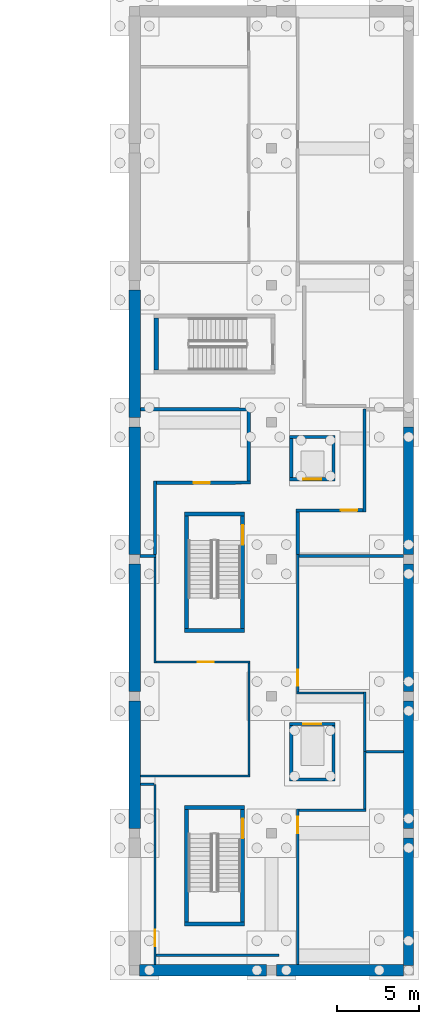
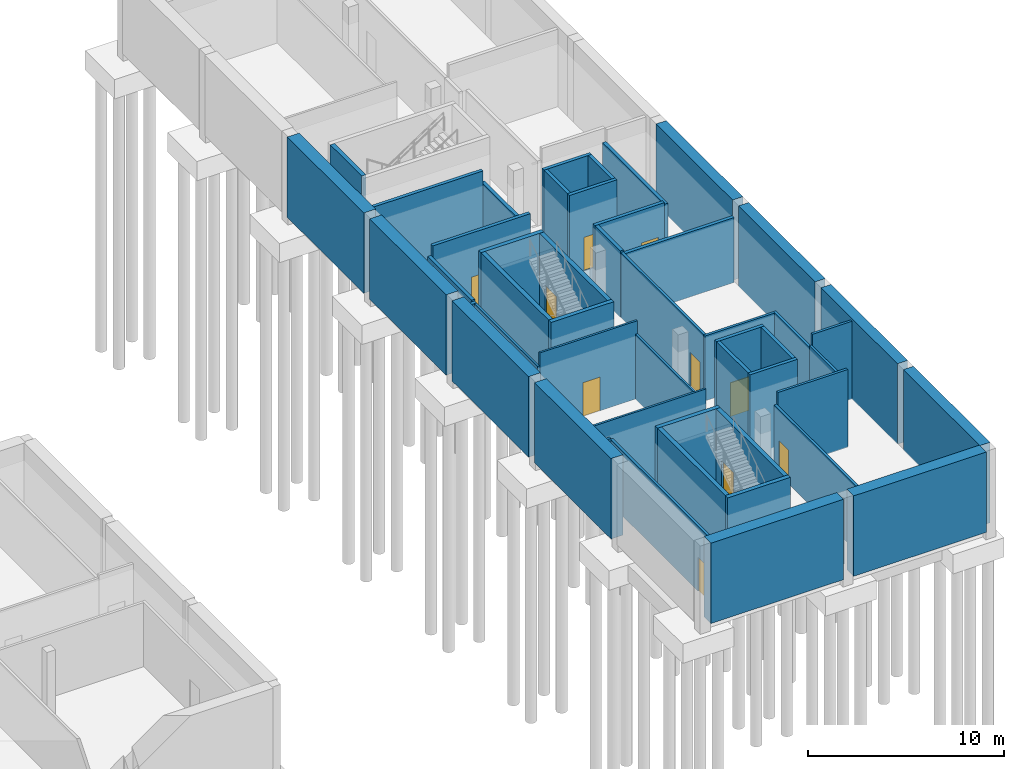
# One storey, part 12 of 33: 50 walls, 10 doors, 10 openings.
"""IFC4 building model written with IfcOpenShell, lengths in metres."""

from ifc_helpers import new_model, si_unit, direction, frame, frame_2d, origin, place, context, subcontext, project, spatial, rectangle, extrude, material, layer, layer_set, type_object, element, fill, save


model = new_model("IFC4")

# Units and contexts
model_context = context("Model", 3, precision=1e-05, world=origin(), true_north=direction((0.0, 1.0)))
body_context = subcontext(model_context, "Body", "Model", "MODEL_VIEW")
ifc_project = project(units=[si_unit("LENGTHUNIT", "METRE"), si_unit("AREAUNIT", "SQUARE_METRE"), si_unit("VOLUMEUNIT", "CUBIC_METRE"), si_unit("PLANEANGLEUNIT", "RADIAN"), si_unit("MASSUNIT", "GRAM", prefix="KILO")], contexts=[model_context])

# Site, building, storey
site_placement = place(None, origin())
site = spatial("IfcSite", under=ifc_project, at=site_placement, CompositionType="ELEMENT")
building_placement = place(site_placement, origin())
building = spatial("IfcBuilding", under=site, at=building_placement, Name="Larchfold Concert Hall", CompositionType="ELEMENT")
storey_placement = place(building_placement, frame((0.0, 0.0, -5.0)))
storey = spatial("IfcBuildingStorey", under=building, at=storey_placement, Name="B1", CompositionType="ELEMENT", Elevation=-5.0)

# Walls
ifc_material_1 = material(Name="Plasterboard partition on steel studs", Category="steel")
ifc_layer_1 = layer(ifc_material_1, 0.199951171875)
ifc_layer_set_1 = layer_set([ifc_layer_1], Name="Plasterboard partition on steel studs")
wall_type_1 = type_object("IfcWallType", Name="Acoustic partition 200", PredefinedType="PARTITIONING", material=ifc_layer_set_1)
wall_1_placement = place(storey_placement, frame((84.920166015625, 26.0, 0.0), z_axis=(0.0, 0.0, 1.0), x_axis=(1.0, 0.0, 0.0)))
element("IfcWall", 1, at=wall_1_placement, inside=storey, type_object=wall_type_1, Name="Partition IW0053", PredefinedType="PARTITIONING", context=body_context, shape_type="SweptSolid", body=[
    extrude(rectangle(XDim=0.992431640625, YDim=0.199951171875, at=frame_2d((0.49609375, 0.0))), origin(), (0.0, 0.0, 1.0), 4.0400390625),
])
wall_2_placement = place(storey_placement, frame((94.675048828125, 26.0, 0.0), z_axis=(0.0, 0.0, 1.0), x_axis=(1.0, 0.0, 0.0)))
element("IfcWall", 2, at=wall_2_placement, inside=storey, type_object=wall_type_1, Name="Partition IW0061", PredefinedType="PARTITIONING", context=body_context, shape_type="SweptSolid", body=[
    extrude(rectangle(XDim=6.40478515625, YDim=0.199951171875, at=frame_2d((3.202392578125, 0.0))), origin(), (0.0, 0.0, 1.0), 4.0400390625),
])
wall_3_placement = place(storey_placement, frame((85.85107421875, 26.10009765625, 0.0), z_axis=(0.0, 0.0, 1.0), x_axis=(0.0, 1.0, 0.0)))
element("IfcWall", 3, at=wall_3_placement, inside=storey, type_object=wall_type_1, Name="Partition IW0062", PredefinedType="PARTITIONING", context=body_context, shape_type="SweptSolid", body=[
    extrude(rectangle(XDim=4.4990234375, YDim=0.199951171875, at=frame_2d((2.24951171875, 0.0))), origin(), (0.0, 0.0, 1.0), 4.139892578125),
])

# Wall, opening, door
wall_4_placement = place(storey_placement, frame((85.950927734375, 30.4990234375, 0.0), z_axis=(0.0, 0.0, 1.0), x_axis=(0.999999942232, 0.000339904807, 0.0)))
wall_4 = element("IfcWall", 4, at=wall_4_placement, inside=storey, type_object=wall_type_1, Name="Partition IW0063", PredefinedType="PARTITIONING", context=body_context, shape_type="SweptSolid", body=[
    extrude(rectangle(XDim=5.74609375, YDim=0.199951171875, at=frame_2d((2.873046875, 0.0))), origin(), (0.0, 0.0, 1.0), 4.840087890625),
])
opening_1_placement = place(wall_4_placement, frame((2.264404296875, 0.0, 0.0)))
opening_1 = element("IfcOpeningElement", 5, at=opening_1_placement, cuts=wall_4, Name="Opening D-B1-122", PredefinedType="OPENING", context=body_context, shape_type="SweptSolid", body=[
    extrude(rectangle(XDim=1.0, YDim=2.10009765625, at=frame_2d((0.5, 1.050048828125))), frame((0.0, 0.10986328125, 0.0), z_axis=(0.0, -1.0, 0.0), x_axis=(1.0, 0.0, 0.0)), (0.0, 0.0, 1.0), 0.219970703125),
])
ifc_material_2 = material(Name="Timber door leaf", Category="wood")
door_type_1 = type_object("IfcDoorType", Name="Practice and studio door, acoustic 1000 x 2100 FD30S", OperationType="SINGLE_SWING_LEFT", PredefinedType="DOOR", material=ifc_material_2)
door_1_placement = place(opening_1_placement, origin())
door_1 = element("IfcDoor", 6, at=door_1_placement, inside=storey, type_object=door_type_1, Name="Door D-B1-122", OperationType="SINGLE_SWING_LEFT", OverallHeight=2.10009765625, OverallWidth=1.0, PredefinedType="DOOR", context=body_context, shape_type="SweptSolid", body=[
    extrude(rectangle(XDim=1.0, YDim=2.10009765625, at=frame_2d((0.5, 1.050048828125))), frame((0.0, 0.02490234375, 0.0), z_axis=(0.0, -1.0, 0.0), x_axis=(1.0, 0.0, 0.0)), (0.0, 0.0, 1.0), 0.050048828125),
])
fill(opening_1, door_1)

# Walls
wall_5_placement = place(storey_placement, frame((91.59716796875, 30.60107421875, 0.0), z_axis=(0.0, 0.0, 1.0), x_axis=(0.000652492928, 0.999999787126, 0.0)))
element("IfcWall", 7, at=wall_5_placement, inside=storey, type_object=wall_type_1, Name="Partition IW0064", PredefinedType="PARTITIONING", context=body_context, shape_type="SweptSolid", body=[
    extrude(rectangle(XDim=4.489990234375, YDim=0.199951171875, at=frame_2d((2.2451171875, 0.0))), origin(), (0.0, 0.0, 1.0), 4.0400390625),
])
wall_6_placement = place(storey_placement, frame((91.5, 34.9912109375, 0.0), z_axis=(0.0, 0.0, 1.0), x_axis=(-0.999999099745, 0.001341830392, 0.0)))
element("IfcWall", 8, at=wall_6_placement, inside=storey, type_object=wall_type_1, Name="Partition IW0065", PredefinedType="PARTITIONING", context=body_context, shape_type="SweptSolid", body=[
    extrude(rectangle(XDim=6.550048828125, YDim=0.199951171875, at=frame_2d((3.27490234375, 0.0))), origin(), (0.0, 0.0, 1.0), 4.840087890625),
])
wall_7_placement = place(storey_placement, frame((98.698974609375, 35.02001953125, 0.0), z_axis=(0.0, 0.0, 1.0), x_axis=(0.0, -1.0, 0.0)))
element("IfcWall", 9, at=wall_7_placement, inside=storey, type_object=wall_type_1, Name="Partition IW0066", PredefinedType="PARTITIONING", context=body_context, shape_type="SweptSolid", body=[
    extrude(rectangle(XDim=6.319091796875, YDim=0.199951171875, at=frame_2d((3.15966796875, 0.0))), origin(), (0.0, 0.0, 1.0), 4.0400390625),
])

# Wall, opening, door
wall_8_placement = place(storey_placement, frame((98.59912109375, 28.80078125, 0.0), z_axis=(0.0, 0.0, 1.0), x_axis=(-0.999997019923, -0.002441340825, 0.0)))
wall_8 = element("IfcWall", 10, at=wall_8_placement, inside=storey, type_object=wall_type_1, Name="Partition IW0067", PredefinedType="PARTITIONING", context=body_context, shape_type="SweptSolid", body=[
    extrude(rectangle(XDim=4.10009765625, YDim=0.199951171875, at=frame_2d((2.050048828125, 0.0))), origin(), (0.0, 0.0, 1.0), 4.139892578125),
])
opening_2_placement = place(wall_8_placement, frame((0.34912109375, 0.0, 0.0)))
opening_2 = element("IfcOpeningElement", 11, at=opening_2_placement, cuts=wall_8, Name="Opening D-B1-123", PredefinedType="OPENING", context=body_context, shape_type="SweptSolid", body=[
    extrude(rectangle(XDim=1.0, YDim=2.10009765625, at=frame_2d((0.5, 1.050048828125))), frame((0.0, 0.10986328125, 0.0), z_axis=(0.0, -1.0, 0.0), x_axis=(1.0, 0.0, 0.0)), (0.0, 0.0, 1.0), 0.219970703125),
])
door_2_placement = place(opening_2_placement, origin())
door_2 = element("IfcDoor", 12, at=door_2_placement, inside=storey, type_object=door_type_1, Name="Door D-B1-123", OperationType="SINGLE_SWING_RIGHT", OverallHeight=2.10009765625, OverallWidth=1.0, PredefinedType="DOOR", context=body_context, shape_type="SweptSolid", body=[
    extrude(rectangle(XDim=1.0, YDim=2.10009765625, at=frame_2d((0.5, 1.050048828125))), frame((0.0, 0.02490234375, 0.0), z_axis=(0.0, -1.0, 0.0), x_axis=(1.0, 0.0, 0.0)), (0.0, 0.0, 1.0), 0.050048828125),
])
fill(opening_2, door_2)

# Walls
wall_9_placement = place(storey_placement, frame((94.59912109375, 28.69091796875, 0.0), z_axis=(0.0, 0.0, 1.0), x_axis=(0.0, -1.0, 0.0)))
element("IfcWall", 13, at=wall_9_placement, inside=storey, type_object=wall_type_1, Name="Partition IW0068", PredefinedType="PARTITIONING", context=body_context, shape_type="SweptSolid", body=[
    extrude(rectangle(XDim=2.5908203125, YDim=0.199951171875, at=frame_2d((1.29541015625, 0.0))), origin(), (0.0, 0.0, 1.0), 4.139892578125),
])
ifc_material_3 = material(Name="Plasterboard partition on steel studs", Category="steel")
ifc_layer_2 = layer(ifc_material_3, 0.125)
ifc_layer_set_2 = layer_set([ifc_layer_2], Name="Plasterboard partition on steel studs")
wall_type_2 = type_object("IfcWallType", Name="Corridor partition 125 EI 60", PredefinedType="PARTITIONING", material=ifc_layer_set_2)
wall_10_placement = place(storey_placement, frame((91.66259765625, 12.5, 0.0), z_axis=(0.0, 0.0, 1.0), x_axis=(-1.0, 0.0, 0.0)))
element("IfcWall", 14, at=wall_10_placement, inside=storey, type_object=wall_type_2, Name="Partition IW0049", PredefinedType="PARTITIONING", context=body_context, shape_type="SweptSolid", body=[
    extrude(rectangle(XDim=6.71240234375, YDim=0.125, at=frame_2d((3.356201171875, 0.0))), origin(), (0.0, 0.0, 1.0), 4.840087890625),
])
wall_11_placement = place(storey_placement, frame((85.85009765625, 25.89990234375, 0.0), z_axis=(0.0, 0.0, 1.0), x_axis=(0.0, -1.0, 0.0)))
element("IfcWall", 15, at=wall_11_placement, inside=storey, type_object=wall_type_2, Name="Partition IW0050", PredefinedType="PARTITIONING", context=body_context, shape_type="SweptSolid", body=[
    extrude(rectangle(XDim=6.46240234375, YDim=0.125, at=frame_2d((3.231201171875, 0.0))), origin(), (0.0, 0.0, 1.0), 4.0400390625),
])

# Wall, opening, door
wall_12_placement = place(storey_placement, frame((85.91259765625, 19.5, 0.0), z_axis=(0.0, 0.0, 1.0), x_axis=(1.0, 0.0, 0.0)))
wall_12 = element("IfcWall", 16, at=wall_12_placement, inside=storey, type_object=wall_type_2, Name="Partition IW0051", PredefinedType="PARTITIONING", context=body_context, shape_type="SweptSolid", body=[
    extrude(rectangle(XDim=5.75, YDim=0.125, at=frame_2d((2.875, 0.0))), origin(), (0.0, 0.0, 1.0), 4.840087890625),
])
opening_3_placement = place(wall_12_placement, frame((2.552978515625, 0.0, 0.0)))
opening_3 = element("IfcOpeningElement", 17, at=opening_3_placement, cuts=wall_12, Name="Opening D-B1-119", PredefinedType="OPENING", context=body_context, shape_type="SweptSolid", body=[
    extrude(rectangle(XDim=1.0, YDim=2.10009765625, at=frame_2d((0.5, 1.050048828125))), frame((0.0, 0.072509765625, 0.0), z_axis=(0.0, -1.0, 0.0), x_axis=(1.0, 0.0, 0.0)), (0.0, 0.0, 1.0), 0.14501953125),
])
ifc_material_4 = material(Name="Timber door leaf", Category="wood")
door_type_2 = type_object("IfcDoorType", Name="Room door 1000 x 2100 FD30S", OperationType="SINGLE_SWING_LEFT", PredefinedType="DOOR", material=ifc_material_4)
door_3_placement = place(opening_3_placement, origin())
door_3 = element("IfcDoor", 18, at=door_3_placement, inside=storey, type_object=door_type_2, Name="Door D-B1-119", OperationType="SINGLE_SWING_LEFT", OverallHeight=2.10009765625, OverallWidth=1.0, PredefinedType="DOOR", context=body_context, shape_type="SweptSolid", body=[
    extrude(rectangle(XDim=1.0, YDim=2.10009765625, at=frame_2d((0.5, 1.050048828125))), frame((0.0, 0.02490234375, 0.0), z_axis=(0.0, -1.0, 0.0), x_axis=(1.0, 0.0, 0.0)), (0.0, 0.0, 1.0), 0.050048828125),
])
fill(opening_3, door_3)

# Walls
wall_13_placement = place(storey_placement, frame((91.60009765625, 19.4375, 0.0), z_axis=(0.0, 0.0, 1.0), x_axis=(0.0, -1.0, 0.0)))
element("IfcWall", 19, at=wall_13_placement, inside=storey, type_object=wall_type_2, Name="Partition IW0052", PredefinedType="PARTITIONING", context=body_context, shape_type="SweptSolid", body=[
    extrude(rectangle(XDim=6.875, YDim=0.125, at=frame_2d((3.4375, 0.0))), origin(), (0.0, 0.0, 1.0), 4.0400390625),
])
ifc_material_5 = material(Name="Plasterboard partition on steel studs", Category="steel")
ifc_layer_3 = layer(ifc_material_5, 0.14990234375)
ifc_layer_set_3 = layer_set([ifc_layer_3], Name="Plasterboard partition on steel studs")
wall_type_3 = type_object("IfcWallType", Name="Shaft and plant partition 150 EI 120", PredefinedType="PARTITIONING", material=ifc_layer_set_3)
wall_14_placement = place(storey_placement, frame((84.949951171875, 12.0, 0.0), z_axis=(0.0, 0.0, 1.0), x_axis=(1.0, 0.0, 0.0)))
element("IfcWall", 20, at=wall_14_placement, inside=storey, type_object=wall_type_3, Name="Partition IW0046", PredefinedType="PARTITIONING", context=body_context, shape_type="SweptSolid", body=[
    extrude(rectangle(XDim=0.824951171875, YDim=0.14990234375, at=frame_2d((0.41259765625, 0.0))), origin(), (0.0, 0.0, 1.0), 4.139892578125),
])

# Wall, opening, door
wall_15_placement = place(storey_placement, frame((85.85009765625, 12.0, 0.0), z_axis=(0.0, 0.0, 1.0), x_axis=(0.0, -1.0, 0.0)))
wall_15 = element("IfcWall", 21, at=wall_15_placement, inside=storey, type_object=wall_type_3, Name="Partition IW0047", PredefinedType="PARTITIONING", context=body_context, shape_type="SweptSolid", body=[
    extrude(rectangle(XDim=11.0498046875, YDim=0.14990234375, at=frame_2d((5.52490234375, 0.0))), origin(), (0.0, 0.0, 1.0), 4.0400390625),
])
opening_4_placement = place(wall_15_placement, frame((8.924072265625, 0.0, 0.0)))
opening_4 = element("IfcOpeningElement", 22, at=opening_4_placement, cuts=wall_15, Name="Opening D-B1-118", PredefinedType="OPENING", context=body_context, shape_type="SweptSolid", body=[
    extrude(rectangle(XDim=1.0, YDim=2.10009765625, at=frame_2d((0.5, 1.050048828125))), frame((0.0, 0.0849609375, 0.0), z_axis=(0.0, -1.0, 0.0), x_axis=(1.0, 0.0, 0.0)), (0.0, 0.0, 1.0), 0.169921875),
])
ifc_material_6 = material(Name="Timber door leaf", Category="wood")
door_type_3 = type_object("IfcDoorType", Name="Store door 1000 x 2100 FD60", OperationType="SINGLE_SWING_LEFT", PredefinedType="DOOR", material=ifc_material_6)
door_4_placement = place(opening_4_placement, origin())
door_4 = element("IfcDoor", 23, at=door_4_placement, inside=storey, type_object=door_type_3, Name="Door D-B1-118", OperationType="SINGLE_SWING_RIGHT", OverallHeight=2.10009765625, OverallWidth=1.0, PredefinedType="DOOR", context=body_context, shape_type="SweptSolid", body=[
    extrude(rectangle(XDim=1.0, YDim=2.10009765625, at=frame_2d((0.5, 1.050048828125))), frame((0.0, 0.02490234375, 0.0), z_axis=(0.0, -1.0, 0.0), x_axis=(1.0, 0.0, 0.0)), (0.0, 0.0, 1.0), 0.050048828125),
])
fill(opening_4, door_4)

# Walls
wall_16_placement = place(storey_placement, frame((85.925048828125, 1.52099609375, 0.0), z_axis=(0.0, 0.0, 1.0), x_axis=(0.999999991568, -0.000129861696, 0.0)))
element("IfcWall", 24, at=wall_16_placement, inside=storey, type_object=wall_type_3, Name="Partition IW0048", PredefinedType="PARTITIONING", context=body_context, shape_type="SweptSolid", body=[
    extrude(rectangle(XDim=7.52001953125, YDim=0.14990234375, at=frame_2d((3.760009765625, 0.0))), origin(), (0.0, 0.0, 1.0), 4.0400390625),
])
wall_17_placement = place(storey_placement, frame((98.77490234375, 14.0, 0.0), z_axis=(0.0, 0.0, 1.0), x_axis=(1.0, 0.0, 0.0)))
element("IfcWall", 25, at=wall_17_placement, inside=storey, type_object=wall_type_3, Name="Partition IW0054", PredefinedType="PARTITIONING", context=body_context, shape_type="SweptSolid", body=[
    extrude(rectangle(XDim=2.3251953125, YDim=0.14990234375, at=frame_2d((1.16259765625, 0.0))), origin(), (0.0, 0.0, 1.0), 4.840087890625),
])

# Wall, opening, door
wall_18_placement = place(storey_placement, frame((94.60009765625, 0.949951171875, 0.0), z_axis=(0.0, 0.0, 1.0), x_axis=(0.0, 1.0, 0.0)))
wall_18 = element("IfcWall", 26, at=wall_18_placement, inside=storey, type_object=wall_type_3, Name="Partition IW0055", PredefinedType="PARTITIONING", context=body_context, shape_type="SweptSolid", body=[
    extrude(rectangle(XDim=9.525146484375, YDim=0.14990234375, at=frame_2d((4.7626953125, 0.0))), origin(), (0.0, 0.0, 1.0), 4.0400390625),
])
opening_5_placement = place(wall_18_placement, frame((8.049560546875, 0.0, 0.0)))
opening_5 = element("IfcOpeningElement", 27, at=opening_5_placement, cuts=wall_18, Name="Opening D-B1-120", PredefinedType="OPENING", context=body_context, shape_type="SweptSolid", body=[
    extrude(rectangle(XDim=1.0, YDim=2.10009765625, at=frame_2d((0.5, 1.050048828125))), frame((0.0, 0.0849609375, 0.0), z_axis=(0.0, -1.0, 0.0), x_axis=(1.0, 0.0, 0.0)), (0.0, 0.0, 1.0), 0.169921875),
])
ifc_material_7 = material(Name="Timber door leaf", Category="wood")
door_type_4 = type_object("IfcDoorType", Name="Plant room door 1000 x 2100 FD60", OperationType="SINGLE_SWING_LEFT", PredefinedType="DOOR", material=ifc_material_7)
door_5_placement = place(opening_5_placement, origin())
door_5 = element("IfcDoor", 28, at=door_5_placement, inside=storey, type_object=door_type_4, Name="Door D-B1-120", OperationType="SINGLE_SWING_LEFT", OverallHeight=2.10009765625, OverallWidth=1.0, PredefinedType="DOOR", context=body_context, shape_type="SweptSolid", body=[
    extrude(rectangle(XDim=1.0, YDim=2.10009765625, at=frame_2d((0.5, 1.050048828125))), frame((0.0, 0.02490234375, 0.0), z_axis=(0.0, -1.0, 0.0), x_axis=(1.0, 0.0, 0.0)), (0.0, 0.0, 1.0), 0.050048828125),
])
fill(opening_5, door_5)

# Walls
wall_19_placement = place(storey_placement, frame((94.675048828125, 10.39990234375, 0.0), z_axis=(0.0, 0.0, 1.0), x_axis=(1.0, 0.0, 0.0)))
element("IfcWall", 29, at=wall_19_placement, inside=storey, type_object=wall_type_3, Name="Partition IW0056", PredefinedType="PARTITIONING", context=body_context, shape_type="SweptSolid", body=[
    extrude(rectangle(XDim=4.099853515625, YDim=0.14990234375, at=frame_2d((2.0498046875, 0.0))), origin(), (0.0, 0.0, 1.0), 4.840087890625),
])
wall_20_placement = place(storey_placement, frame((98.699951171875, 10.47509765625, 0.0), z_axis=(0.0, 0.0, 1.0), x_axis=(0.0, 1.0, 0.0)))
element("IfcWall", 30, at=wall_20_placement, inside=storey, type_object=wall_type_3, Name="Partition IW0057", PredefinedType="PARTITIONING", context=body_context, shape_type="SweptSolid", body=[
    extrude(rectangle(XDim=3.52490234375, YDim=0.14990234375, at=frame_2d((1.762451171875, 0.0))), origin(), (0.0, 0.0, 1.0), 4.139892578125),
])
wall_21_placement = place(storey_placement, frame((98.699951171875, 14.0, 0.0), z_axis=(0.0, 0.0, 1.0), x_axis=(0.0, 1.0, 0.0)))
element("IfcWall", 31, at=wall_21_placement, inside=storey, type_object=wall_type_3, Name="Partition IW0058", PredefinedType="PARTITIONING", context=body_context, shape_type="SweptSolid", body=[
    extrude(rectangle(XDim=3.675048828125, YDim=0.14990234375, at=frame_2d((1.83740234375, 0.0))), origin(), (0.0, 0.0, 1.0), 4.0400390625),
])
wall_22_placement = place(storey_placement, frame((98.625, 17.60009765625, 0.0), z_axis=(0.0, 0.0, 1.0), x_axis=(-1.0, 0.0, 0.0)))
element("IfcWall", 32, at=wall_22_placement, inside=storey, type_object=wall_type_3, Name="Partition IW0059", PredefinedType="PARTITIONING", context=body_context, shape_type="SweptSolid", body=[
    extrude(rectangle(XDim=4.10009765625, YDim=0.14990234375, at=frame_2d((2.050048828125, 0.0))), origin(), (0.0, 0.0, 1.0), 4.0400390625),
])

# Wall, opening, door
wall_23_placement = place(storey_placement, frame((94.60009765625, 17.675048828125, 0.0), z_axis=(0.0, 0.0, 1.0), x_axis=(0.0, 1.0, 0.0)))
wall_23 = element("IfcWall", 33, at=wall_23_placement, inside=storey, type_object=wall_type_3, Name="Partition IW0060", PredefinedType="PARTITIONING", context=body_context, shape_type="SweptSolid", body=[
    extrude(rectangle(XDim=8.425048828125, YDim=0.14990234375, at=frame_2d((4.21240234375, 0.0))), origin(), (0.0, 0.0, 1.0), 4.0400390625),
])
opening_6_placement = place(wall_23_placement, frame((0.365478515625, 0.0, 0.0)))
opening_6 = element("IfcOpeningElement", 34, at=opening_6_placement, cuts=wall_23, Name="Opening D-B1-121", PredefinedType="OPENING", context=body_context, shape_type="SweptSolid", body=[
    extrude(rectangle(XDim=1.0, YDim=2.10009765625, at=frame_2d((0.5, 1.050048828125))), frame((0.0, 0.0849609375, 0.0), z_axis=(0.0, -1.0, 0.0), x_axis=(1.0, 0.0, 0.0)), (0.0, 0.0, 1.0), 0.169921875),
])
door_6_placement = place(opening_6_placement, origin())
door_6 = element("IfcDoor", 35, at=door_6_placement, inside=storey, type_object=door_type_3, Name="Door D-B1-121", OperationType="SINGLE_SWING_LEFT", OverallHeight=2.10009765625, OverallWidth=1.0, PredefinedType="DOOR", context=body_context, shape_type="SweptSolid", body=[
    extrude(rectangle(XDim=1.0, YDim=2.10009765625, at=frame_2d((0.5, 1.050048828125))), frame((0.0, 0.02490234375, 0.0), z_axis=(0.0, -1.0, 0.0), x_axis=(1.0, 0.0, 0.0)), (0.0, 0.0, 1.0), 0.050048828125),
])
fill(opening_6, door_6)

# Wall
ifc_material_8 = material(Name="Concrete C40/50", Category="concrete")
ifc_layer_4 = layer(ifc_material_8, 0.199951171875)
ifc_layer_set_4 = layer_set([ifc_layer_4], Name="Concrete C40/50")
wall_type_4 = type_object("IfcWallType", Name="Wall RC 200 lift shaft", PredefinedType="SOLIDWALL", material=ifc_layer_set_4)
wall_24_placement = place(storey_placement, frame((94.10009765625, 12.300048828125, -1.39990234375), z_axis=(0.0, 0.0, 1.0), x_axis=(1.0, 0.0, 0.0)))
element("IfcWall", 36, at=wall_24_placement, inside=storey, type_object=wall_type_4, Name="Wall W0184", PredefinedType="SOLIDWALL", context=body_context, shape_type="SweptSolid", body=[
    extrude(rectangle(XDim=2.7998046875, YDim=0.199951171875, at=frame_2d((1.39990234375, 0.0))), origin(), (0.0, 0.0, 1.0), 6.39990234375),
])

# Wall, opening, door
wall_25_placement = place(storey_placement, frame((94.10009765625, 15.699951171875, -1.39990234375), z_axis=(0.0, 0.0, 1.0), x_axis=(1.0, 0.0, 0.0)))
wall_25 = element("IfcWall", 37, at=wall_25_placement, inside=storey, type_object=wall_type_4, Name="Wall W0185", PredefinedType="SOLIDWALL", context=body_context, shape_type="SweptSolid", body=[
    extrude(rectangle(XDim=2.7998046875, YDim=0.199951171875, at=frame_2d((1.39990234375, 0.0))), origin(), (0.0, 0.0, 1.0), 6.39990234375),
])
opening_7_placement = place(wall_25_placement, frame((0.849853515625, 0.0, 1.39990234375)))
opening_7 = element("IfcOpeningElement", 38, at=opening_7_placement, cuts=wall_25, Name="Opening LD-LF06", PredefinedType="OPENING", context=body_context, shape_type="SweptSolid", body=[
    extrude(rectangle(XDim=1.10009765625, YDim=2.10009765625, at=frame_2d((0.550048828125, 1.050048828125))), frame((0.0, 0.10986328125, 0.0), z_axis=(0.0, -1.0, 0.0), x_axis=(1.0, 0.0, 0.0)), (0.0, 0.0, 1.0), 0.219970703125),
])
ifc_material_9 = material(Name="Stainless steel sliding leaves", Category="steel")
door_type_5 = type_object("IfcDoorType", Name="Lift landing door sliding 1100 x 2100", OperationType="SLIDING_TO_LEFT", PredefinedType="DOOR", material=ifc_material_9)
door_7_placement = place(opening_7_placement, origin())
door_7 = element("IfcDoor", 39, at=door_7_placement, inside=storey, type_object=door_type_5, Name="Lift landing door LF06", OperationType="SLIDING_TO_LEFT", OverallHeight=2.10009765625, OverallWidth=1.10009765625, PredefinedType="DOOR", context=body_context, shape_type="SweptSolid", body=[
    extrude(rectangle(XDim=1.10009765625, YDim=2.10009765625, at=frame_2d((0.550048828125, 1.050048828125))), frame((0.0, 0.02490234375, 0.0), z_axis=(0.0, -1.0, 0.0), x_axis=(1.0, 0.0, 0.0)), (0.0, 0.0, 1.0), 0.050048828125),
])
fill(opening_7, door_7)

# Walls
for number, where, z_axis, x_axis, name in (
    (40, (94.2001953125, 12.39990234375, -1.39990234375), (0.0, 0.0, 1.0), (0.0, 1.0, 0.0), "Wall W0186"),
    (41, (96.7998046875, 12.39990234375, -1.39990234375), (0.0, 0.0, 1.0), (0.0, 1.0, 0.0), "Wall W0187"),
):
    element("IfcWall", number, at=place(storey_placement, frame(where, z_axis=z_axis, x_axis=x_axis)), inside=storey, type_object=wall_type_4, Name=name, PredefinedType="SOLIDWALL", context=body_context, shape_type="SweptSolid", body=[
        extrude(rectangle(XDim=3.2001953125, YDim=0.199951171875, at=frame_2d((1.60009765625, 0.0))), origin(), (0.0, 0.0, 1.0), 6.39990234375),
    ])

# Wall, opening, door
wall_26_placement = place(storey_placement, frame((94.10009765625, 30.7001953125, -1.39990234375), z_axis=(0.0, 0.0, 1.0), x_axis=(1.0, 0.0, 0.0)))
wall_26 = element("IfcWall", 42, at=wall_26_placement, inside=storey, type_object=wall_type_4, Name="Wall W0188", PredefinedType="SOLIDWALL", context=body_context, shape_type="SweptSolid", body=[
    extrude(rectangle(XDim=2.7998046875, YDim=0.199951171875, at=frame_2d((1.39990234375, 0.0))), origin(), (0.0, 0.0, 1.0), 6.39990234375),
])
opening_8_placement = place(wall_26_placement, frame((0.849853515625, 0.0, 1.39990234375)))
opening_8 = element("IfcOpeningElement", 43, at=opening_8_placement, cuts=wall_26, Name="Opening LD-LF07", PredefinedType="OPENING", context=body_context, shape_type="SweptSolid", body=[
    extrude(rectangle(XDim=1.10009765625, YDim=2.10009765625, at=frame_2d((0.550048828125, 1.050048828125))), frame((0.0, 0.10986328125, 0.0), z_axis=(0.0, -1.0, 0.0), x_axis=(1.0, 0.0, 0.0)), (0.0, 0.0, 1.0), 0.219970703125),
])
door_8_placement = place(opening_8_placement, origin())
door_8 = element("IfcDoor", 44, at=door_8_placement, inside=storey, type_object=door_type_5, Name="Lift landing door LF07", OperationType="SLIDING_TO_LEFT", OverallHeight=2.10009765625, OverallWidth=1.10009765625, PredefinedType="DOOR", context=body_context, shape_type="SweptSolid", body=[
    extrude(rectangle(XDim=1.10009765625, YDim=2.10009765625, at=frame_2d((0.550048828125, 1.050048828125))), frame((0.0, 0.02490234375, 0.0), z_axis=(0.0, -1.0, 0.0), x_axis=(1.0, 0.0, 0.0)), (0.0, 0.0, 1.0), 0.050048828125),
])
fill(opening_8, door_8)

# Walls
wall_27_placement = place(storey_placement, frame((94.10009765625, 33.2998046875, -1.39990234375), z_axis=(0.0, 0.0, 1.0), x_axis=(1.0, 0.0, 0.0)))
element("IfcWall", 45, at=wall_27_placement, inside=storey, type_object=wall_type_4, Name="Wall W0189", PredefinedType="SOLIDWALL", context=body_context, shape_type="SweptSolid", body=[
    extrude(rectangle(XDim=2.7998046875, YDim=0.199951171875, at=frame_2d((1.39990234375, 0.0))), origin(), (0.0, 0.0, 1.0), 6.39990234375),
])
for number, where, z_axis, x_axis, name in (
    (46, (94.2001953125, 30.800048828125, -1.39990234375), (0.0, 0.0, 1.0), (0.0, 1.0, 0.0), "Wall W0190"),
    (47, (96.7998046875, 30.800048828125, -1.39990234375), (0.0, 0.0, 1.0), (0.0, 1.0, 0.0), "Wall W0191"),
):
    element("IfcWall", number, at=place(storey_placement, frame(where, z_axis=z_axis, x_axis=x_axis)), inside=storey, type_object=wall_type_4, Name=name, PredefinedType="SOLIDWALL", context=body_context, shape_type="SweptSolid", body=[
        extrude(rectangle(XDim=2.39990234375, YDim=0.199951171875, at=frame_2d((1.199951171875, 0.0))), origin(), (0.0, 0.0, 1.0), 6.39990234375),
    ])
ifc_material_10 = material(Name="Concrete C40/50", Category="concrete")
ifc_layer_5 = layer(ifc_material_10, 0.25)
ifc_layer_set_5 = layer_set([ifc_layer_5], Name="Concrete C40/50")
wall_type_5 = type_object("IfcWallType", Name="Wall RC 250 stair core", PredefinedType="SOLIDWALL", material=ifc_layer_set_5)
for number, where, z_axis, x_axis, name in (
    (48, (87.64990234375, 3.425048828125, 0.0), (0.0, 0.0, 1.0), (1.0, 0.0, 0.0), "Wall W0152"),
    (49, (87.64990234375, 10.574951171875, 0.0), (0.0, 0.0, 1.0), (1.0, 0.0, 0.0), "Wall W0153"),
):
    element("IfcWall", number, at=place(storey_placement, frame(where, z_axis=z_axis, x_axis=x_axis)), inside=storey, type_object=wall_type_5, Name=name, PredefinedType="SOLIDWALL", context=body_context, shape_type="SweptSolid", body=[
        extrude(rectangle(XDim=3.7001953125, YDim=0.25, at=frame_2d((1.85009765625, 0.0))), origin(), (0.0, 0.0, 1.0), 5.0),
    ])
wall_28_placement = place(storey_placement, frame((87.77490234375, 3.550048828125, 0.0), z_axis=(0.0, 0.0, 1.0), x_axis=(0.0, 1.0, 0.0)))
element("IfcWall", 50, at=wall_28_placement, inside=storey, type_object=wall_type_5, Name="Wall W0154", PredefinedType="SOLIDWALL", context=body_context, shape_type="SweptSolid", body=[
    extrude(rectangle(XDim=6.89990234375, YDim=0.25, at=frame_2d((3.449951171875, 0.0))), origin(), (0.0, 0.0, 1.0), 5.0),
])

# Wall, opening, door
wall_29_placement = place(storey_placement, frame((91.22509765625, 3.550048828125, 0.0), z_axis=(0.0, 0.0, 1.0), x_axis=(0.0, 1.0, 0.0)))
wall_29 = element("IfcWall", 51, at=wall_29_placement, inside=storey, type_object=wall_type_5, Name="Wall W0155", PredefinedType="SOLIDWALL", context=body_context, shape_type="SweptSolid", body=[
    extrude(rectangle(XDim=6.89990234375, YDim=0.25, at=frame_2d((3.449951171875, 0.0))), origin(), (0.0, 0.0, 1.0), 5.0),
])
opening_9_placement = place(wall_29_placement, frame((5.14990234375, 0.0, 0.0)))
opening_9 = element("IfcOpeningElement", 52, at=opening_9_placement, cuts=wall_29, Name="Opening D-B1-154", PredefinedType="OPENING", context=body_context, shape_type="SweptSolid", body=[
    extrude(rectangle(XDim=1.199951171875, YDim=2.10009765625, at=frame_2d((0.60009765625, 1.050048828125))), frame((0.0, 0.135009765625, 0.0), z_axis=(0.0, -1.0, 0.0), x_axis=(1.0, 0.0, 0.0)), (0.0, 0.0, 1.0), 0.27001953125),
])
ifc_material_11 = material(Name="Timber door leaf", Category="wood")
door_type_6 = type_object("IfcDoorType", Name="Stair enclosure door pair 1200 x 2100 FD60", OperationType="SINGLE_SWING_LEFT", PredefinedType="DOOR", material=ifc_material_11)
door_9_placement = place(opening_9_placement, origin())
door_9 = element("IfcDoor", 53, at=door_9_placement, inside=storey, type_object=door_type_6, Name="Door D-B1-154", OperationType="DOUBLE_DOOR_SINGLE_SWING", OverallHeight=2.10009765625, OverallWidth=1.199951171875, PredefinedType="DOOR", context=body_context, shape_type="SweptSolid", body=[
    extrude(rectangle(XDim=1.199951171875, YDim=2.10009765625, at=frame_2d((0.60009765625, 1.050048828125))), frame((0.0, 0.02490234375, 0.0), z_axis=(0.0, -1.0, 0.0), x_axis=(1.0, 0.0, 0.0)), (0.0, 0.0, 1.0), 0.050048828125),
])
fill(opening_9, door_9)

# Walls
for number, where, z_axis, x_axis, name in (
    (54, (87.64990234375, 21.425048828125, 0.0), (0.0, 0.0, 1.0), (1.0, 0.0, 0.0), "Wall W0156"),
    (55, (87.64990234375, 28.574951171875, 0.0), (0.0, 0.0, 1.0), (1.0, 0.0, 0.0), "Wall W0157"),
):
    element("IfcWall", number, at=place(storey_placement, frame(where, z_axis=z_axis, x_axis=x_axis)), inside=storey, type_object=wall_type_5, Name=name, PredefinedType="SOLIDWALL", context=body_context, shape_type="SweptSolid", body=[
        extrude(rectangle(XDim=3.7001953125, YDim=0.25, at=frame_2d((1.85009765625, 0.0))), origin(), (0.0, 0.0, 1.0), 5.0),
    ])
wall_30_placement = place(storey_placement, frame((87.77490234375, 21.550048828125, 0.0), z_axis=(0.0, 0.0, 1.0), x_axis=(0.0, 1.0, 0.0)))
element("IfcWall", 56, at=wall_30_placement, inside=storey, type_object=wall_type_5, Name="Wall W0158", PredefinedType="SOLIDWALL", context=body_context, shape_type="SweptSolid", body=[
    extrude(rectangle(XDim=6.89990234375, YDim=0.25, at=frame_2d((3.449951171875, 0.0))), origin(), (0.0, 0.0, 1.0), 5.0),
])

# Wall, opening, door
wall_31_placement = place(storey_placement, frame((91.22509765625, 21.550048828125, 0.0), z_axis=(0.0, 0.0, 1.0), x_axis=(0.0, 1.0, 0.0)))
wall_31 = element("IfcWall", 57, at=wall_31_placement, inside=storey, type_object=wall_type_5, Name="Wall W0159", PredefinedType="SOLIDWALL", context=body_context, shape_type="SweptSolid", body=[
    extrude(rectangle(XDim=6.89990234375, YDim=0.25, at=frame_2d((3.449951171875, 0.0))), origin(), (0.0, 0.0, 1.0), 5.0),
])
opening_10_placement = place(wall_31_placement, frame((5.14990234375, 0.0, 0.0)))
opening_10 = element("IfcOpeningElement", 58, at=opening_10_placement, cuts=wall_31, Name="Opening D-B1-155", PredefinedType="OPENING", context=body_context, shape_type="SweptSolid", body=[
    extrude(rectangle(XDim=1.199951171875, YDim=2.10009765625, at=frame_2d((0.60009765625, 1.050048828125))), frame((0.0, 0.135009765625, 0.0), z_axis=(0.0, -1.0, 0.0), x_axis=(1.0, 0.0, 0.0)), (0.0, 0.0, 1.0), 0.27001953125),
])
door_10_placement = place(opening_10_placement, origin())
door_10 = element("IfcDoor", 59, at=door_10_placement, inside=storey, type_object=door_type_6, Name="Door D-B1-155", OperationType="DOUBLE_DOOR_SINGLE_SWING", OverallHeight=2.10009765625, OverallWidth=1.199951171875, PredefinedType="DOOR", context=body_context, shape_type="SweptSolid", body=[
    extrude(rectangle(XDim=1.199951171875, YDim=2.10009765625, at=frame_2d((0.60009765625, 1.050048828125))), frame((0.0, 0.02490234375, 0.0), z_axis=(0.0, -1.0, 0.0), x_axis=(1.0, 0.0, 0.0)), (0.0, 0.0, 1.0), 0.050048828125),
])
fill(opening_10, door_10)

# Walls
wall_32_placement = place(storey_placement, frame((85.925048828125, 37.39990234375, 0.0), z_axis=(0.0, 0.0, 1.0), x_axis=(0.0, 1.0, 0.0)))
element("IfcWall", 60, at=wall_32_placement, inside=storey, type_object=wall_type_5, Name="Wall W0162", PredefinedType="SOLIDWALL", context=body_context, shape_type="SweptSolid", body=[
    extrude(rectangle(XDim=3.2001953125, YDim=0.25, at=frame_2d((1.60009765625, 0.0))), origin(), (0.0, 0.0, 1.0), 5.0),
])
ifc_material_12 = material(Name="Concrete C40/50", Category="concrete")
ifc_layer_6 = layer(ifc_material_12, 0.60009765625)
ifc_layer_set_6 = layer_set([ifc_layer_6], Name="Concrete C40/50")
wall_type_6 = type_object("IfcWallType", Name="Wall RC 600 party wall", PredefinedType="SOLIDWALL", material=ifc_layer_set_6)
for number, where, z_axis, x_axis, name in (
    (61, (101.39990234375, 0.89990234375, 0.0), (0.0, 0.0, 1.0), (0.0, 1.0, 0.0), "Wall W0020"),
    (62, (101.39990234375, 9.300048828125, 0.0), (0.0, 0.0, 1.0), (0.0, 1.0, 0.0), "Wall W0021"),
    (63, (101.39990234375, 17.699951171875, 0.0), (0.0, 0.0, 1.0), (0.0, 1.0, 0.0), "Wall W0022"),
):
    element("IfcWall", number, at=place(storey_placement, frame(where, z_axis=z_axis, x_axis=x_axis)), inside=storey, type_object=wall_type_6, Name=name, PredefinedType="SOLIDWALL", context=body_context, shape_type="SweptSolid", body=[
        extrude(rectangle(XDim=7.800048828125, YDim=0.60009765625, at=frame_2d((3.89990234375, 0.0))), origin(), (0.0, 0.0, 1.0), 5.0),
    ])
wall_33_placement = place(storey_placement, frame((101.39990234375, 26.10009765625, 0.0), z_axis=(0.0, 0.0, 1.0), x_axis=(0.0, 1.0, 0.0)))
element("IfcWall", 64, at=wall_33_placement, inside=storey, type_object=wall_type_6, Name="Wall W0023", PredefinedType="SOLIDWALL", context=body_context, shape_type="SweptSolid", body=[
    extrude(rectangle(XDim=7.7998046875, YDim=0.60009765625, at=frame_2d((3.89990234375, 0.0))), origin(), (0.0, 0.0, 1.0), 5.0),
])
ifc_material_13 = material(Name="Concrete C30/37", Category="concrete")
ifc_layer_7 = layer(ifc_material_13, 0.699951171875)
ifc_layer_set_7 = layer_set([ifc_layer_7], Name="Concrete C30/37")
wall_type_7 = type_object("IfcWallType", Name="Wall RC 700 retaining wall", PredefinedType="SOLIDWALL", material=ifc_layer_set_7)
for number, where, z_axis, x_axis, name in (
    (65, (84.60009765625, 9.300048828125, 0.0), (0.0, 0.0, 1.0), (0.0, 1.0, 0.0), "Wall W0110"),
    (66, (84.60009765625, 17.699951171875, 0.0), (0.0, 0.0, 1.0), (0.0, 1.0, 0.0), "Wall W0111"),
):
    element("IfcWall", number, at=place(storey_placement, frame(where, z_axis=z_axis, x_axis=x_axis)), inside=storey, type_object=wall_type_7, Name=name, PredefinedType="SOLIDWALL", context=body_context, shape_type="SweptSolid", body=[
        extrude(rectangle(XDim=7.800048828125, YDim=0.699951171875, at=frame_2d((3.89990234375, 0.0))), origin(), (0.0, 0.0, 1.0), 5.0),
    ])
wall_34_placement = place(storey_placement, frame((84.60009765625, 26.10009765625, 0.0), z_axis=(0.0, 0.0, 1.0), x_axis=(0.0, 1.0, 0.0)))
element("IfcWall", 67, at=wall_34_placement, inside=storey, type_object=wall_type_7, Name="Wall W0112", PredefinedType="SOLIDWALL", context=body_context, shape_type="SweptSolid", body=[
    extrude(rectangle(XDim=7.7998046875, YDim=0.699951171875, at=frame_2d((3.89990234375, 0.0))), origin(), (0.0, 0.0, 1.0), 5.0),
])
for number, where, z_axis, x_axis, name in (
    (68, (84.60009765625, 34.5, 0.0), (0.0, 0.0, 1.0), (0.0, 1.0, 0.0), "Wall W0113"),
    (69, (101.10009765625, 0.60009765625, 0.0), (0.0, 0.0, 1.0), (-1.0, 0.0, 0.0), "Wall W0118"),
    (70, (92.699951171875, 0.60009765625, 0.0), (0.0, 0.0, 1.0), (-1.0, 0.0, 0.0), "Wall W0119"),
):
    element("IfcWall", number, at=place(storey_placement, frame(where, z_axis=z_axis, x_axis=x_axis)), inside=storey, type_object=wall_type_7, Name=name, PredefinedType="SOLIDWALL", context=body_context, shape_type="SweptSolid", body=[
        extrude(rectangle(XDim=7.800048828125, YDim=0.699951171875, at=frame_2d((3.89990234375, 0.0))), origin(), (0.0, 0.0, 1.0), 5.0),
    ])

save(model, "model.ifc")
